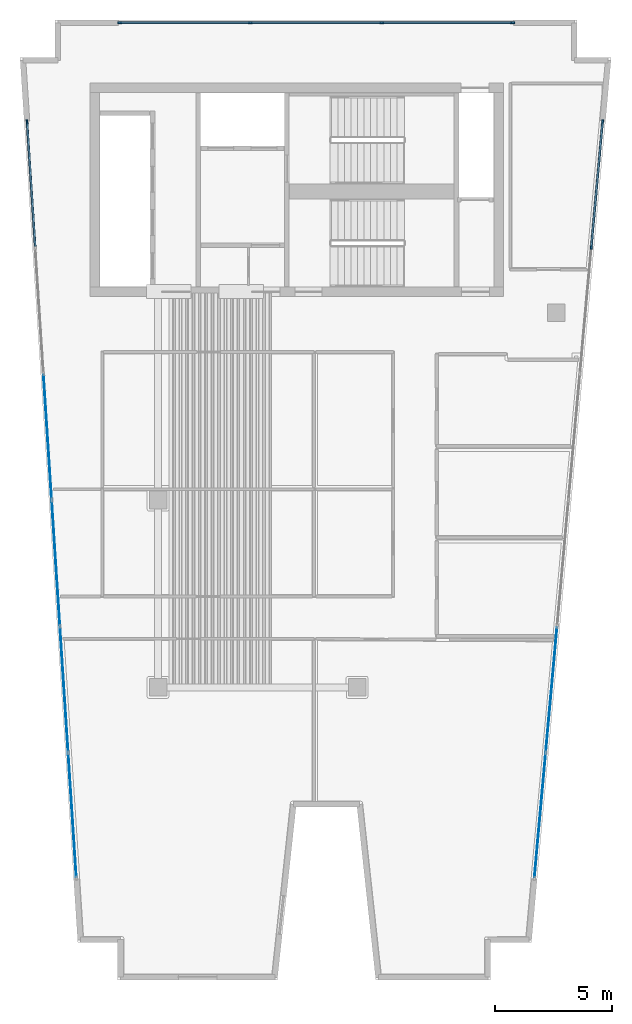
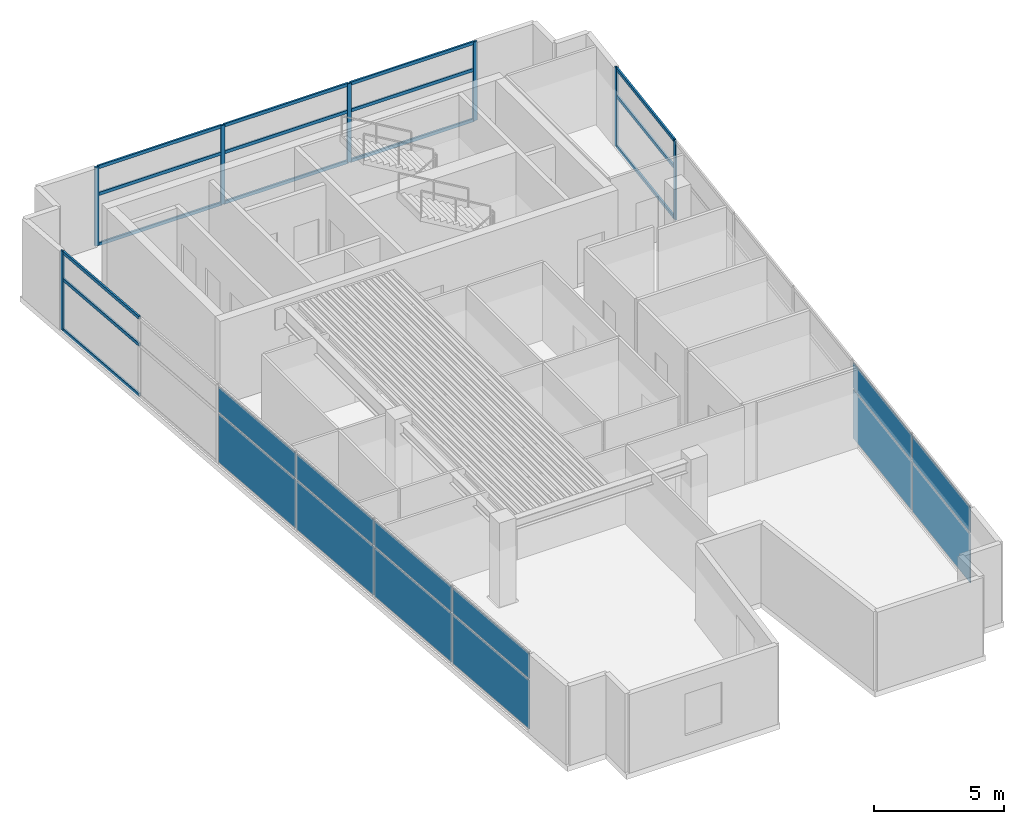
# One storey, part 2 of 7: 22 members, 12 plates, 3 elements without a shape of their own.
"""IFC4 building model written with IfcOpenShell, lengths in metres."""

from ifc_helpers import new_model, si_unit, direction, frame, origin, origin_2d, place, context, subcontext, project, spatial, rectangle, extrude, material, layer, layer_set, material_profile, profile_set, type_object, element, aggregate, save


model = new_model("IFC4")

# Units and contexts
model_context = context("Model", 3, precision=1e-05, world=origin(), true_north=direction((0.0, 1.0)))
body_context = subcontext(model_context, "Body", "Model", "MODEL_VIEW")
ifc_project = project(units=[si_unit("LENGTHUNIT", "METRE"), si_unit("AREAUNIT", "SQUARE_METRE"), si_unit("VOLUMEUNIT", "CUBIC_METRE"), si_unit("PLANEANGLEUNIT", "RADIAN"), si_unit("MASSUNIT", "GRAM", prefix="KILO")], contexts=[model_context])

# Site, building, storey
site_placement = place(None, origin())
site = spatial("IfcSite", under=ifc_project, at=site_placement, CompositionType="ELEMENT")
building_placement = place(site_placement, origin())
building = spatial("IfcBuilding", under=site, at=building_placement, Name="Caeloran Harvest Quay", CompositionType="ELEMENT")
storey_placement = place(building_placement, frame((0.0, 0.0, 312.0)))
storey = spatial("IfcBuildingStorey", under=building, at=storey_placement, Name="L75", CompositionType="ELEMENT", Elevation=312.0)

# Curtain wall, member
ifc_material_1 = material(Name="Aluminium 6063-T6 and Low-E Glazing", Category="aluminium")
ifc_layer_1 = layer(ifc_material_1, 0.239990234375, Name="Aluminium 6063-T6 and Low-E Glazing")
ifc_layer_set_1 = layer_set([ifc_layer_1], Name="Aluminium 6063-T6 and Low-E Glazing")
curtain_wall_type = type_object("IfcCurtainWallType", Name="CW-SYS-CW-7", PredefinedType="USERDEFINED", material=ifc_layer_set_1)
curtain_wall_1_placement = place(storey_placement, origin())
curtain_wall_1 = element("IfcCurtainWall", 1, at=curtain_wall_1_placement, inside=storey, type_object=curtain_wall_type, Name="L75 Unitised Curtain Wall CW-7 Run 3", ObjectType="CURTAIN_WALL", PredefinedType="USERDEFINED")
ifc_material_2 = material(Name="Aluminium 6063-T6", Category="aluminium")
ifc_material_profile_1 = material_profile(ifc_material_2, rectangle(XDim=0.080078125, YDim=0.179931640625, at=origin_2d()), Name="CW-MULLION-180")
ifc_profile_set_1 = profile_set([ifc_material_profile_1], Name="Aluminium 6063-T6")
member_type_1 = type_object("IfcMemberType", Name="CW-MULLION-180", PredefinedType="MULLION", material=ifc_profile_set_1)
member_1_placement = place(storey_placement, frame((2.904541015625, 39.1455078125, 0.0), z_axis=(0.0, 0.0, 1.0), x_axis=(-0.997874401106, -0.065166552901, 0.0)))
member_1 = element("IfcMember", 2, at=member_1_placement, type_object=member_type_1, Name="CW-7 mullion 7", PredefinedType="MULLION", context=body_context, shape_type="SweptSolid", body=[
    extrude(rectangle(XDim=0.080078125, YDim=0.179931640625, at=origin_2d()), origin(), (0.0, 0.0, 1.0), 3.699951171875),
])

# Curtain wall, members
curtain_wall_2_placement = place(storey_placement, origin())
curtain_wall_2 = element("IfcCurtainWall", 3, at=curtain_wall_2_placement, inside=storey, type_object=curtain_wall_type, Name="L75 Unitised Curtain Wall CW-7 Run 6", ObjectType="CURTAIN_WALL", PredefinedType="USERDEFINED")
member_2_placement = place(storey_placement, frame((6.860107421875, 43.3798828125, 0.0), z_axis=(0.0, 0.0, 1.0), x_axis=(0.0, 1.0, 0.0)))
member_2 = element("IfcMember", 4, at=member_2_placement, type_object=member_type_1, Name="CW-7 mullion 1", PredefinedType="MULLION", context=body_context, shape_type="SweptSolid", body=[
    extrude(rectangle(XDim=0.080078125, YDim=0.179931640625, at=origin_2d()), origin(), (0.0, 0.0, 1.0), 3.699951171875),
])
member_3_placement = place(storey_placement, frame((12.43994140625, 43.3798828125, 0.0), z_axis=(0.0, 0.0, 1.0), x_axis=(0.0, 1.0, 0.0)))
member_3 = element("IfcMember", 5, at=member_3_placement, type_object=member_type_1, Name="CW-7 mullion 2", PredefinedType="MULLION", context=body_context, shape_type="SweptSolid", body=[
    extrude(rectangle(XDim=0.080078125, YDim=0.179931640625, at=origin_2d()), origin(), (0.0, 0.0, 1.0), 3.699951171875),
])
member_4_placement = place(storey_placement, frame((18.06005859375, 43.3798828125, 0.0), z_axis=(0.0, 0.0, 1.0), x_axis=(0.0, 1.0, 0.0)))
member_4 = element("IfcMember", 6, at=member_4_placement, type_object=member_type_1, Name="CW-7 mullion 3", PredefinedType="MULLION", context=body_context, shape_type="SweptSolid", body=[
    extrude(rectangle(XDim=0.080078125, YDim=0.179931640625, at=origin_2d()), origin(), (0.0, 0.0, 1.0), 3.699951171875),
])
member_5_placement = place(storey_placement, frame((23.639892578125, 43.3798828125, 0.0), z_axis=(0.0, 0.0, 1.0), x_axis=(0.0, 1.0, 0.0)))
member_5 = element("IfcMember", 7, at=member_5_placement, type_object=member_type_1, Name="CW-7 mullion 4", PredefinedType="MULLION", context=body_context, shape_type="SweptSolid", body=[
    extrude(rectangle(XDim=0.080078125, YDim=0.179931640625, at=origin_2d()), origin(), (0.0, 0.0, 1.0), 3.699951171875),
])

curtain_wall_3_placement = place(storey_placement, origin())
curtain_wall_3 = element("IfcCurtainWall", 8, at=curtain_wall_3_placement, inside=storey, type_object=curtain_wall_type, Name="L75 Unitised Curtain Wall CW-7 Run 9", ObjectType="CURTAIN_WALL", PredefinedType="USERDEFINED")
member_6_placement = place(storey_placement, frame((27.4873046875, 39.150634765625, 0.0), z_axis=(0.0, 0.0, 1.0), x_axis=(0.995957918918, -0.089821065146, 0.0)))
member_6 = element("IfcMember", 9, at=member_6_placement, type_object=member_type_1, Name="CW-7 mullion 1", PredefinedType="MULLION", context=body_context, shape_type="SweptSolid", body=[
    extrude(rectangle(XDim=0.080078125, YDim=0.179931640625, at=origin_2d()), origin(), (0.0, 0.0, 1.0), 3.699951171875),
])
member_7_placement = place(storey_placement, frame((27.004150390625, 33.793701171875, 0.0), z_axis=(0.0, 0.0, 1.0), x_axis=(0.995957918918, -0.089821065146, 0.0)))
member_7 = element("IfcMember", 10, at=member_7_placement, type_object=member_type_1, Name="CW-7 mullion 2", PredefinedType="MULLION", context=body_context, shape_type="SweptSolid", body=[
    extrude(rectangle(XDim=0.080078125, YDim=0.179931640625, at=origin_2d()), origin(), (0.0, 0.0, 1.0), 3.699951171875),
])

# Member
ifc_material_profile_2 = material_profile(ifc_material_2, rectangle(XDim=0.080078125, YDim=0.14990234375, at=origin_2d()), Name="CW-TRANSOM-150")
ifc_profile_set_2 = profile_set([ifc_material_profile_2], Name="Aluminium 6063-T6")
member_type_2 = type_object("IfcMemberType", Name="CW-TRANSOM-150", PredefinedType="USERDEFINED", material=ifc_profile_set_2)
member_8_placement = place(storey_placement, frame((3.251708984375, 33.830322265625, 0.0400390625), z_axis=(-0.065161110765, 0.997874756492, 0.0), x_axis=(-0.997874756492, -0.065161110765, 0.0)))
member_8 = element("IfcMember", 11, at=member_8_placement, type_object=member_type_2, Name="CW-7 transom 6.1", ObjectType="TRANSOM", PredefinedType="USERDEFINED", context=body_context, shape_type="SweptSolid", body=[
    extrude(rectangle(XDim=0.080078125, YDim=0.14990234375, at=origin_2d()), origin(), (0.0, 0.0, 1.0), 5.28662109375),
])

member_9_placement = place(storey_placement, frame((3.251708984375, 33.830322265625, 2.39990234375), z_axis=(-0.065161110765, 0.997874756492, 0.0), x_axis=(-0.997874756492, -0.065161110765, 0.0)))
member_9 = element("IfcMember", 12, at=member_9_placement, type_object=member_type_2, Name="CW-7 transom 6.2", ObjectType="TRANSOM", PredefinedType="USERDEFINED", context=body_context, shape_type="SweptSolid", body=[
    extrude(rectangle(XDim=0.080078125, YDim=0.14990234375, at=origin_2d()), origin(), (0.0, 0.0, 1.0), 5.28662109375),
])

member_10_placement = place(storey_placement, frame((3.251708984375, 33.830322265625, 3.659912109375), z_axis=(-0.065161110765, 0.997874756492, 0.0), x_axis=(-0.997874756492, -0.065161110765, 0.0)))
member_10 = element("IfcMember", 13, at=member_10_placement, type_object=member_type_2, Name="CW-7 transom 6.3", ObjectType="TRANSOM", PredefinedType="USERDEFINED", context=body_context, shape_type="SweptSolid", body=[
    extrude(rectangle(XDim=0.080078125, YDim=0.14990234375, at=origin_2d()), origin(), (0.0, 0.0, 1.0), 5.28662109375),
])

member_11_placement = place(storey_placement, frame((6.89990234375, 43.3798828125, 0.0400390625), z_axis=(1.0, 0.0, 0.0), x_axis=(0.0, 1.0, 0.0)))
member_11 = element("IfcMember", 14, at=member_11_placement, type_object=member_type_2, Name="CW-7 transom 1.1", ObjectType="TRANSOM", PredefinedType="USERDEFINED", context=body_context, shape_type="SweptSolid", body=[
    extrude(rectangle(XDim=0.080078125, YDim=0.14990234375, at=origin_2d()), origin(), (0.0, 0.0, 1.0), 5.5),
])

member_12_placement = place(storey_placement, frame((6.89990234375, 43.3798828125, 2.39990234375), z_axis=(1.0, 0.0, 0.0), x_axis=(0.0, 1.0, 0.0)))
member_12 = element("IfcMember", 15, at=member_12_placement, type_object=member_type_2, Name="CW-7 transom 1.2", ObjectType="TRANSOM", PredefinedType="USERDEFINED", context=body_context, shape_type="SweptSolid", body=[
    extrude(rectangle(XDim=0.080078125, YDim=0.14990234375, at=origin_2d()), origin(), (0.0, 0.0, 1.0), 5.5),
])

member_13_placement = place(storey_placement, frame((6.89990234375, 43.3798828125, 3.659912109375), z_axis=(1.0, 0.0, 0.0), x_axis=(0.0, 1.0, 0.0)))
member_13 = element("IfcMember", 16, at=member_13_placement, type_object=member_type_2, Name="CW-7 transom 1.3", ObjectType="TRANSOM", PredefinedType="USERDEFINED", context=body_context, shape_type="SweptSolid", body=[
    extrude(rectangle(XDim=0.080078125, YDim=0.14990234375, at=origin_2d()), origin(), (0.0, 0.0, 1.0), 5.5),
])

member_14_placement = place(storey_placement, frame((12.47998046875, 43.3798828125, 0.0400390625), z_axis=(1.0, 0.0, 0.0), x_axis=(0.0, 1.0, 0.0)))
member_14 = element("IfcMember", 17, at=member_14_placement, type_object=member_type_2, Name="CW-7 transom 2.1", ObjectType="TRANSOM", PredefinedType="USERDEFINED", context=body_context, shape_type="SweptSolid", body=[
    extrude(rectangle(XDim=0.080078125, YDim=0.14990234375, at=origin_2d()), origin(), (0.0, 0.0, 1.0), 5.5400390625),
])

member_15_placement = place(storey_placement, frame((12.47998046875, 43.3798828125, 2.39990234375), z_axis=(1.0, 0.0, 0.0), x_axis=(0.0, 1.0, 0.0)))
member_15 = element("IfcMember", 18, at=member_15_placement, type_object=member_type_2, Name="CW-7 transom 2.2", ObjectType="TRANSOM", PredefinedType="USERDEFINED", context=body_context, shape_type="SweptSolid", body=[
    extrude(rectangle(XDim=0.080078125, YDim=0.14990234375, at=origin_2d()), origin(), (0.0, 0.0, 1.0), 5.5400390625),
])

member_16_placement = place(storey_placement, frame((12.47998046875, 43.3798828125, 3.659912109375), z_axis=(1.0, 0.0, 0.0), x_axis=(0.0, 1.0, 0.0)))
member_16 = element("IfcMember", 19, at=member_16_placement, type_object=member_type_2, Name="CW-7 transom 2.3", ObjectType="TRANSOM", PredefinedType="USERDEFINED", context=body_context, shape_type="SweptSolid", body=[
    extrude(rectangle(XDim=0.080078125, YDim=0.14990234375, at=origin_2d()), origin(), (0.0, 0.0, 1.0), 5.5400390625),
])

member_17_placement = place(storey_placement, frame((18.10009765625, 43.3798828125, 0.0400390625), z_axis=(1.0, 0.0, 0.0), x_axis=(0.0, 1.0, 0.0)))
member_17 = element("IfcMember", 20, at=member_17_placement, type_object=member_type_2, Name="CW-7 transom 3.1", ObjectType="TRANSOM", PredefinedType="USERDEFINED", context=body_context, shape_type="SweptSolid", body=[
    extrude(rectangle(XDim=0.080078125, YDim=0.14990234375, at=origin_2d()), origin(), (0.0, 0.0, 1.0), 5.5),
])

member_18_placement = place(storey_placement, frame((18.10009765625, 43.3798828125, 2.39990234375), z_axis=(1.0, 0.0, 0.0), x_axis=(0.0, 1.0, 0.0)))
member_18 = element("IfcMember", 21, at=member_18_placement, type_object=member_type_2, Name="CW-7 transom 3.2", ObjectType="TRANSOM", PredefinedType="USERDEFINED", context=body_context, shape_type="SweptSolid", body=[
    extrude(rectangle(XDim=0.080078125, YDim=0.14990234375, at=origin_2d()), origin(), (0.0, 0.0, 1.0), 5.5),
])

member_19_placement = place(storey_placement, frame((18.10009765625, 43.3798828125, 3.659912109375), z_axis=(1.0, 0.0, 0.0), x_axis=(0.0, 1.0, 0.0)))
member_19 = element("IfcMember", 22, at=member_19_placement, type_object=member_type_2, Name="CW-7 transom 3.3", ObjectType="TRANSOM", PredefinedType="USERDEFINED", context=body_context, shape_type="SweptSolid", body=[
    extrude(rectangle(XDim=0.080078125, YDim=0.14990234375, at=origin_2d()), origin(), (0.0, 0.0, 1.0), 5.5),
])

aggregate(curtain_wall_2, [member_2, member_3, member_4, member_5, member_11, member_12, member_13, member_14, member_15, member_16, member_17, member_18, member_19])

member_20_placement = place(storey_placement, frame((27.483642578125, 39.11083984375, 0.0400390625), z_axis=(-0.089800407778, -0.995959781699, 0.0), x_axis=(0.995959781699, -0.089800407778, 0.0)))
member_20 = element("IfcMember", 23, at=member_20_placement, type_object=member_type_2, Name="CW-7 transom 1.1", ObjectType="TRANSOM", PredefinedType="USERDEFINED", context=body_context, shape_type="SweptSolid", body=[
    extrude(rectangle(XDim=0.080078125, YDim=0.14990234375, at=origin_2d()), origin(), (0.0, 0.0, 1.0), 5.298828125),
])

member_21_placement = place(storey_placement, frame((27.483642578125, 39.11083984375, 2.39990234375), z_axis=(-0.089800407778, -0.995959781699, 0.0), x_axis=(0.995959781699, -0.089800407778, 0.0)))
member_21 = element("IfcMember", 24, at=member_21_placement, type_object=member_type_2, Name="CW-7 transom 1.2", ObjectType="TRANSOM", PredefinedType="USERDEFINED", context=body_context, shape_type="SweptSolid", body=[
    extrude(rectangle(XDim=0.080078125, YDim=0.14990234375, at=origin_2d()), origin(), (0.0, 0.0, 1.0), 5.298828125),
])

member_22_placement = place(storey_placement, frame((27.483642578125, 39.11083984375, 3.659912109375), z_axis=(-0.089800407778, -0.995959781699, 0.0), x_axis=(0.995959781699, -0.089800407778, 0.0)))
member_22 = element("IfcMember", 25, at=member_22_placement, type_object=member_type_2, Name="CW-7 transom 1.3", ObjectType="TRANSOM", PredefinedType="USERDEFINED", context=body_context, shape_type="SweptSolid", body=[
    extrude(rectangle(XDim=0.080078125, YDim=0.14990234375, at=origin_2d()), origin(), (0.0, 0.0, 1.0), 5.298828125),
])

# Plate
ifc_material_3 = material(Name="Low-E Double Glazed Vision Glass Unit", Category="glass")
ifc_layer_2 = layer(ifc_material_3, 0.035888671875, Name="Low-E Double Glazed Vision Glass Unit")
ifc_layer_set_2 = layer_set([ifc_layer_2], Name="Low-E Double Glazed Vision Glass Unit")
plate_type = type_object("IfcPlateType", Name="CW-VISION-PANEL", PredefinedType="CURTAIN_PANEL", material=ifc_layer_set_2)
plate_1_placement = place(storey_placement, frame((4.838623046875, 9.531982421875, 0.080078125), z_axis=(0.0, 0.0, 1.0), x_axis=(-0.065166552901, 0.997874401106, 0.0)))
plate_1 = element("IfcPlate", 26, at=plate_1_placement, type_object=plate_type, Name="CW-7 panel 1.1", PredefinedType="CURTAIN_PANEL", context=body_context, shape_type="SweptSolid", body=[
    extrude(rectangle(XDim=5.28662109375, YDim=0.035888671875, at=origin_2d()), origin(), (0.0, 0.0, 1.0), 2.280029296875),
])

plate_2_placement = place(storey_placement, frame((4.838623046875, 9.531982421875, 2.43994140625), z_axis=(0.0, 0.0, 1.0), x_axis=(-0.065166552901, 0.997874401106, 0.0)))
plate_2 = element("IfcPlate", 27, at=plate_2_placement, type_object=plate_type, Name="CW-7 panel 1.2", PredefinedType="CURTAIN_PANEL", context=body_context, shape_type="SweptSolid", body=[
    extrude(rectangle(XDim=5.28662109375, YDim=0.035888671875, at=origin_2d()), origin(), (0.0, 0.0, 1.0), 1.179931640625),
])

plate_3_placement = place(storey_placement, frame((4.487548828125, 14.9072265625, 0.080078125), z_axis=(0.0, 0.0, 1.0), x_axis=(-0.065166552901, 0.997874401106, 0.0)))
plate_3 = element("IfcPlate", 28, at=plate_3_placement, type_object=plate_type, Name="CW-7 panel 2.1", PredefinedType="CURTAIN_PANEL", context=body_context, shape_type="SweptSolid", body=[
    extrude(rectangle(XDim=5.32666015625, YDim=0.035888671875, at=origin_2d()), origin(), (0.0, 0.0, 1.0), 2.280029296875),
])

plate_4_placement = place(storey_placement, frame((4.487548828125, 14.9072265625, 2.43994140625), z_axis=(0.0, 0.0, 1.0), x_axis=(-0.065166552901, 0.997874401106, 0.0)))
plate_4 = element("IfcPlate", 29, at=plate_4_placement, type_object=plate_type, Name="CW-7 panel 2.2", PredefinedType="CURTAIN_PANEL", context=body_context, shape_type="SweptSolid", body=[
    extrude(rectangle(XDim=5.32666015625, YDim=0.035888671875, at=origin_2d()), origin(), (0.0, 0.0, 1.0), 1.179931640625),
])

plate_5_placement = place(storey_placement, frame((4.13525390625, 20.302490234375, 0.080078125), z_axis=(0.0, 0.0, 1.0), x_axis=(-0.065166552901, 0.997874401106, 0.0)))
plate_5 = element("IfcPlate", 30, at=plate_5_placement, type_object=plate_type, Name="CW-7 panel 3.1", PredefinedType="CURTAIN_PANEL", context=body_context, shape_type="SweptSolid", body=[
    extrude(rectangle(XDim=5.32666015625, YDim=0.035888671875, at=origin_2d()), origin(), (0.0, 0.0, 1.0), 2.280029296875),
])

plate_6_placement = place(storey_placement, frame((4.13525390625, 20.302490234375, 2.43994140625), z_axis=(0.0, 0.0, 1.0), x_axis=(-0.065166552901, 0.997874401106, 0.0)))
plate_6 = element("IfcPlate", 31, at=plate_6_placement, type_object=plate_type, Name="CW-7 panel 3.2", PredefinedType="CURTAIN_PANEL", context=body_context, shape_type="SweptSolid", body=[
    extrude(rectangle(XDim=5.32666015625, YDim=0.035888671875, at=origin_2d()), origin(), (0.0, 0.0, 1.0), 1.179931640625),
])

plate_7_placement = place(storey_placement, frame((3.78271484375, 25.697509765625, 0.080078125), z_axis=(0.0, 0.0, 1.0), x_axis=(-0.065166552901, 0.997874401106, 0.0)))
plate_7 = element("IfcPlate", 32, at=plate_7_placement, type_object=plate_type, Name="CW-7 panel 4.1", PredefinedType="CURTAIN_PANEL", context=body_context, shape_type="SweptSolid", body=[
    extrude(rectangle(XDim=5.32666015625, YDim=0.035888671875, at=origin_2d()), origin(), (0.0, 0.0, 1.0), 2.280029296875),
])

plate_8_placement = place(storey_placement, frame((3.78271484375, 25.697509765625, 2.43994140625), z_axis=(0.0, 0.0, 1.0), x_axis=(-0.065166552901, 0.997874401106, 0.0)))
plate_8 = element("IfcPlate", 33, at=plate_8_placement, type_object=plate_type, Name="CW-7 panel 4.2", PredefinedType="CURTAIN_PANEL", context=body_context, shape_type="SweptSolid", body=[
    extrude(rectangle(XDim=5.32666015625, YDim=0.035888671875, at=origin_2d()), origin(), (0.0, 0.0, 1.0), 1.179931640625),
])

aggregate(curtain_wall_1, [member_1, plate_1, plate_2, plate_3, plate_4, plate_5, plate_6, plate_7, plate_8, member_8, member_9, member_10])

plate_9_placement = place(storey_placement, frame((25.30078125, 14.90478515625, 0.080078125), z_axis=(0.0, 0.0, 1.0), x_axis=(-0.089821065146, -0.995957918918, 0.0)))
plate_9 = element("IfcPlate", 34, at=plate_9_placement, type_object=plate_type, Name="CW-7 panel 5.1", PredefinedType="CURTAIN_PANEL", context=body_context, shape_type="SweptSolid", body=[
    extrude(rectangle(XDim=5.338623046875, YDim=0.035888671875, at=origin_2d()), origin(), (0.0, 0.0, 1.0), 2.280029296875),
])

plate_10_placement = place(storey_placement, frame((25.30078125, 14.90478515625, 2.43994140625), z_axis=(0.0, 0.0, 1.0), x_axis=(-0.089821065146, -0.995957918918, 0.0)))
plate_10 = element("IfcPlate", 35, at=plate_10_placement, type_object=plate_type, Name="CW-7 panel 5.2", PredefinedType="CURTAIN_PANEL", context=body_context, shape_type="SweptSolid", body=[
    extrude(rectangle(XDim=5.338623046875, YDim=0.035888671875, at=origin_2d()), origin(), (0.0, 0.0, 1.0), 1.179931640625),
])

plate_11_placement = place(storey_placement, frame((24.815673828125, 9.52783203125, 0.080078125), z_axis=(0.0, 0.0, 1.0), x_axis=(-0.089821065146, -0.995957918918, 0.0)))
plate_11 = element("IfcPlate", 36, at=plate_11_placement, type_object=plate_type, Name="CW-7 panel 6.1", PredefinedType="CURTAIN_PANEL", context=body_context, shape_type="SweptSolid", body=[
    extrude(rectangle(XDim=5.298828125, YDim=0.035888671875, at=origin_2d()), origin(), (0.0, 0.0, 1.0), 2.280029296875),
])

plate_12_placement = place(storey_placement, frame((24.815673828125, 9.52783203125, 2.43994140625), z_axis=(0.0, 0.0, 1.0), x_axis=(-0.089821065146, -0.995957918918, 0.0)))
plate_12 = element("IfcPlate", 37, at=plate_12_placement, type_object=plate_type, Name="CW-7 panel 6.2", PredefinedType="CURTAIN_PANEL", context=body_context, shape_type="SweptSolid", body=[
    extrude(rectangle(XDim=5.298828125, YDim=0.035888671875, at=origin_2d()), origin(), (0.0, 0.0, 1.0), 1.179931640625),
])

aggregate(curtain_wall_3, [member_6, member_7, member_20, member_21, member_22, plate_9, plate_10, plate_11, plate_12])

save(model, "model.ifc")
